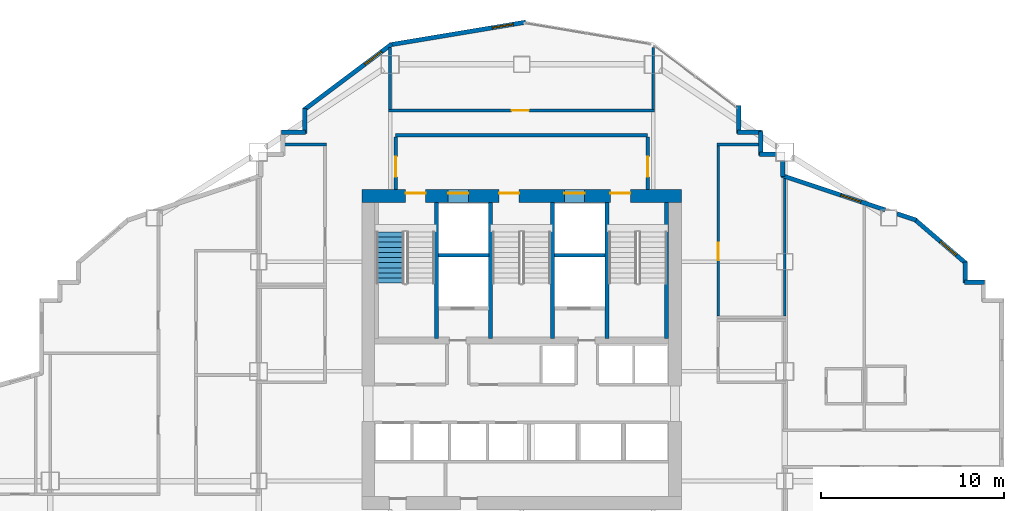
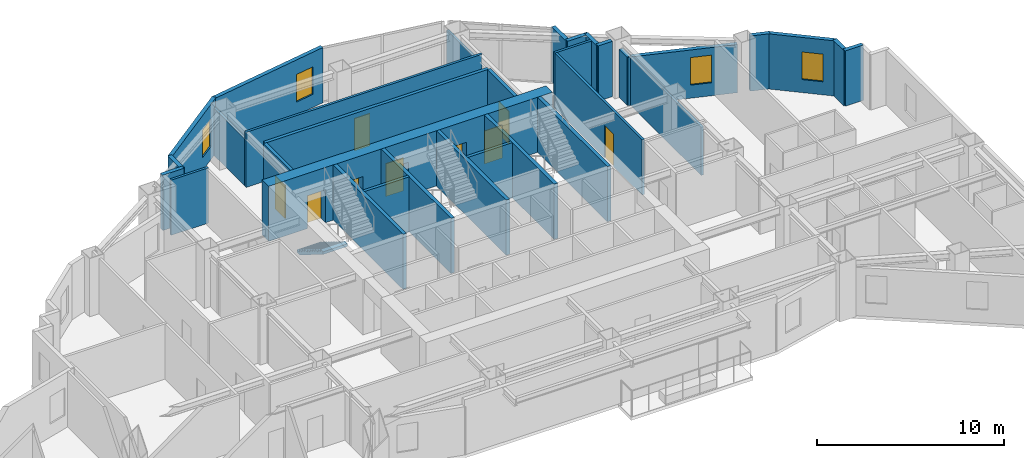
# One storey, part 10 of 13: 32 walls, 9 doors, 4 windows, 1 stair flight, 13 openings, 1 element without a shape of its own.
"""IFC4 building model written with IfcOpenShell, lengths in metres."""

from ifc_helpers import new_model, si_unit, direction, frame, frame_2d, origin, place, context, subcontext, project, spatial, polyline, rectangle, outline, extrude, material, layer, layer_set, type_object, element, fill, aggregate, save


model = new_model("IFC4")

# Units and contexts
model_context = context("Model", 3, precision=1e-05, world=origin(), true_north=direction((0.0, 1.0)))
body_context = subcontext(model_context, "Body", "Model", "MODEL_VIEW")
ifc_project = project(units=[si_unit("LENGTHUNIT", "METRE"), si_unit("AREAUNIT", "SQUARE_METRE"), si_unit("VOLUMEUNIT", "CUBIC_METRE"), si_unit("PLANEANGLEUNIT", "RADIAN"), si_unit("MASSUNIT", "GRAM", prefix="KILO")], contexts=[model_context])

# Site, building, storey
site_placement = place(None, origin())
site = spatial("IfcSite", under=ifc_project, at=site_placement, CompositionType="ELEMENT")
building_placement = place(site_placement, origin())
building = spatial("IfcBuilding", under=site, at=building_placement, Name="Haolan Belvedere Tower", CompositionType="ELEMENT")
storey_placement = place(building_placement, frame((0.0, 0.0, 128.800048828125)))
storey = spatial("IfcBuildingStorey", under=building, at=storey_placement, Name="L32", CompositionType="ELEMENT", Elevation=128.800048828125)

# Wall, openings, doors
ifc_material_1 = material(Name="Concrete C60/75", Category="concrete")
ifc_layer_1 = layer(ifc_material_1, 0.699951171875, Name="Concrete C60/75")
ifc_layer_set_1 = layer_set([ifc_layer_1], Name="Concrete C60/75")
wall_type_1 = type_object("IfcWallType", Name="WL-CORE-700", PredefinedType="SHEAR", material=ifc_layer_set_1)
wall_1_placement = place(storey_placement, frame((29.64990234375, 43.199951171875, 0.0), z_axis=(0.0, 0.0, 1.0), x_axis=(1.0, 0.0, 0.0)))
wall_1 = element("IfcWall", 1, at=wall_1_placement, inside=storey, type_object=wall_type_1, Name="L32 central core north shear wall", PredefinedType="SHEAR", context=body_context, shape_type="SweptSolid", body=[
    extrude(rectangle(XDim=17.5, YDim=0.699951171875, at=frame_2d((8.75, 0.0))), origin(), (0.0, 0.0, 1.0), 3.599853515625),
])
opening_1_placement = place(wall_1_placement, frame((2.39990234375, 0.0, 0.0)))
opening_1 = element("IfcOpeningElement", 2, at=opening_1_placement, cuts=wall_1, Name="Opening FD-03", PredefinedType="OPENING", context=body_context, shape_type="SweptSolid", body=[
    extrude(rectangle(XDim=1.10009765625, YDim=2.14990234375, at=frame_2d((0.550048828125, 1.074951171875))), frame((0.0, 0.35986328125, 0.0), z_axis=(0.0, -1.0, 0.0), x_axis=(1.0, 0.0, 0.0)), (0.0, 0.0, 1.0), 0.719970703125),
])
opening_2_placement = place(wall_1_placement, frame((7.510009765625, 0.0, 0.0)))
opening_2 = element("IfcOpeningElement", 3, at=opening_2_placement, cuts=wall_1, Name="Opening FD-03", PredefinedType="OPENING", context=body_context, shape_type="SweptSolid", body=[
    extrude(rectangle(XDim=1.10009765625, YDim=2.14990234375, at=frame_2d((0.550048828125, 1.074951171875))), frame((0.0, 0.35986328125, 0.0), z_axis=(0.0, -1.0, 0.0), x_axis=(1.0, 0.0, 0.0)), (0.0, 0.0, 1.0), 0.719970703125),
])
opening_3_placement = place(wall_1_placement, frame((13.60009765625, 0.0, 0.0)))
opening_3 = element("IfcOpeningElement", 4, at=opening_3_placement, cuts=wall_1, Name="Opening FD-03", PredefinedType="OPENING", context=body_context, shape_type="SweptSolid", body=[
    extrude(rectangle(XDim=1.10009765625, YDim=2.14990234375, at=frame_2d((0.550048828125, 1.074951171875))), frame((0.0, 0.35986328125, 0.0), z_axis=(0.0, -1.0, 0.0), x_axis=(1.0, 0.0, 0.0)), (0.0, 0.0, 1.0), 0.719970703125),
])
opening_4_placement = place(wall_1_placement, frame((4.72998046875, 0.0, 0.0)))
opening_4 = element("IfcOpeningElement", 5, at=opening_4_placement, cuts=wall_1, Name="Opening LD-01", PredefinedType="OPENING", context=body_context, shape_type="SweptSolid", body=[
    extrude(rectangle(XDim=1.10009765625, YDim=2.199951171875, at=frame_2d((0.550048828125, 1.10009765625))), frame((0.0, 0.35986328125, 0.0), z_axis=(0.0, -1.0, 0.0), x_axis=(1.0, 0.0, 0.0)), (0.0, 0.0, 1.0), 0.719970703125),
])
opening_5_placement = place(wall_1_placement, frame((11.090087890625, 0.0, 0.0)))
opening_5 = element("IfcOpeningElement", 6, at=opening_5_placement, cuts=wall_1, Name="Opening LD-01", PredefinedType="OPENING", context=body_context, shape_type="SweptSolid", body=[
    extrude(rectangle(XDim=1.10009765625, YDim=2.199951171875, at=frame_2d((0.550048828125, 1.10009765625))), frame((0.0, 0.35986328125, 0.0), z_axis=(0.0, -1.0, 0.0), x_axis=(1.0, 0.0, 0.0)), (0.0, 0.0, 1.0), 0.719970703125),
])
ifc_material_2 = material(Name="Galvanised fire-rated steel", Category="steel")
door_type_1 = type_object("IfcDoorType", Name="DR-FD90-1100", OperationType="NOTDEFINED", PredefinedType="DOOR", material=ifc_material_2)
door_1_placement = place(opening_1_placement, origin())
door_1 = element("IfcDoor", 7, at=door_1_placement, inside=storey, type_object=door_type_1, Name="L32 door CD-L32-ST1", OperationType="SINGLE_SWING_LEFT", OverallHeight=2.14990234375, OverallWidth=1.10009765625, PredefinedType="DOOR", context=body_context, shape_type="SweptSolid", body=[
    extrude(rectangle(XDim=1.10009765625, YDim=2.14990234375, at=frame_2d((0.550048828125, 1.074951171875))), frame((0.0, 0.18505859375, 0.0), z_axis=(0.0, -1.0, 0.0), x_axis=(1.0, 0.0, 0.0)), (0.0, 0.0, 1.0), 0.050048828125),
])
fill(opening_1, door_1)
door_2_placement = place(opening_2_placement, origin())
door_2 = element("IfcDoor", 8, at=door_2_placement, inside=storey, type_object=door_type_1, Name="L32 door CD-L32-ST3", OperationType="SINGLE_SWING_LEFT", OverallHeight=2.14990234375, OverallWidth=1.10009765625, PredefinedType="DOOR", context=body_context, shape_type="SweptSolid", body=[
    extrude(rectangle(XDim=1.10009765625, YDim=2.14990234375, at=frame_2d((0.550048828125, 1.074951171875))), frame((0.0, 0.18505859375, 0.0), z_axis=(0.0, -1.0, 0.0), x_axis=(1.0, 0.0, 0.0)), (0.0, 0.0, 1.0), 0.050048828125),
])
fill(opening_2, door_2)
door_3_placement = place(opening_3_placement, origin())
door_3 = element("IfcDoor", 9, at=door_3_placement, inside=storey, type_object=door_type_1, Name="L32 door CD-L32-ST2", OperationType="SINGLE_SWING_RIGHT", OverallHeight=2.14990234375, OverallWidth=1.10009765625, PredefinedType="DOOR", context=body_context, shape_type="SweptSolid", body=[
    extrude(rectangle(XDim=1.10009765625, YDim=2.14990234375, at=frame_2d((0.550048828125, 1.074951171875))), frame((0.0, 0.18505859375, 0.0), z_axis=(0.0, -1.0, 0.0), x_axis=(1.0, 0.0, 0.0)), (0.0, 0.0, 1.0), 0.050048828125),
])
fill(opening_3, door_3)
ifc_material_3 = material(Name="Brushed champagne stainless steel 316L", Category="steel")
door_type_2 = type_object("IfcDoorType", Name="DR-LIFT-1100", OperationType="SLIDING_TO_LEFT", PredefinedType="DOOR", material=ifc_material_3)
door_4_placement = place(opening_4_placement, origin())
door_4 = element("IfcDoor", 10, at=door_4_placement, inside=storey, type_object=door_type_2, Name="L32 door LD-L32-FF1", OperationType="SLIDING_TO_LEFT", OverallHeight=2.199951171875, OverallWidth=1.10009765625, PredefinedType="DOOR", context=body_context, shape_type="SweptSolid", body=[
    extrude(rectangle(XDim=1.10009765625, YDim=2.199951171875, at=frame_2d((0.550048828125, 1.10009765625))), frame((0.0, 0.18505859375, 0.0), z_axis=(0.0, -1.0, 0.0), x_axis=(1.0, 0.0, 0.0)), (0.0, 0.0, 1.0), 0.050048828125),
])
fill(opening_4, door_4)
door_5_placement = place(opening_5_placement, origin())
door_5 = element("IfcDoor", 11, at=door_5_placement, inside=storey, type_object=door_type_2, Name="L32 door LD-L32-FF2", OperationType="SLIDING_TO_LEFT", OverallHeight=2.199951171875, OverallWidth=1.10009765625, PredefinedType="DOOR", context=body_context, shape_type="SweptSolid", body=[
    extrude(rectangle(XDim=1.10009765625, YDim=2.199951171875, at=frame_2d((0.550048828125, 1.10009765625))), frame((0.0, 0.18505859375, 0.0), z_axis=(0.0, -1.0, 0.0), x_axis=(1.0, 0.0, 0.0)), (0.0, 0.0, 1.0), 0.050048828125),
])
fill(opening_5, door_5)

# Walls
ifc_material_4 = material(Name="Precast concrete C40/50", Category="concrete")
ifc_layer_2 = layer(ifc_material_4, 0.239990234375, Name="Precast concrete C40/50")
ifc_layer_set_2 = layer_set([ifc_layer_2], Name="Precast concrete C40/50")
wall_type_2 = type_object("IfcWallType", Name="WL-EXT-240", PredefinedType="SOLIDWALL", material=ifc_layer_set_2)
wall_2_placement = place(storey_placement, frame((63.735107421875, 38.47998046875, 0.0), z_axis=(0.0, 0.0, 1.0), x_axis=(-1.0, 0.0, 0.0)))
element("IfcWall", 12, at=wall_2_placement, inside=storey, type_object=wall_type_2, Name="L32 pale-metal exterior spandrel wall 17.1", PredefinedType="SOLIDWALL", context=body_context, shape_type="SweptSolid", body=[
    extrude(rectangle(XDim=1.110107421875, YDim=0.239990234375, at=frame_2d((0.55517578125, 0.0))), origin(), (0.0, 0.0, 1.0), 3.599853515625),
])
wall_3_placement = place(storey_placement, frame((62.679931640625, 38.425048828125, 0.0), z_axis=(0.0, 0.0, 1.0), x_axis=(0.0, 1.0, 0.0)))
element("IfcWall", 13, at=wall_3_placement, inside=storey, type_object=wall_type_2, Name="L32 pale-metal exterior spandrel wall 18.1", PredefinedType="SOLIDWALL", context=body_context, shape_type="SweptSolid", body=[
    extrude(rectangle(XDim=1.1748046875, YDim=0.239990234375, at=frame_2d((0.58740234375, 0.0))), origin(), (0.0, 0.0, 1.0), 3.599853515625),
])

# Wall, opening, window
wall_4_placement = place(storey_placement, frame((62.7216796875, 39.509033203125, 0.0), z_axis=(0.0, 0.0, 1.0), x_axis=(-0.759247334792, 0.650802185469, 0.0)))
wall_4 = element("IfcWall", 14, at=wall_4_placement, inside=storey, type_object=wall_type_2, Name="L32 pale-metal exterior spandrel wall 19.1", PredefinedType="SOLIDWALL", context=body_context, shape_type="SweptSolid", body=[
    extrude(rectangle(XDim=3.71923828125, YDim=0.239990234375, at=frame_2d((1.859619140625, 0.0))), origin(), (0.0, 0.0, 1.0), 3.599853515625),
])
opening_6_placement = place(wall_4_placement, frame((0.699951171875, 0.0, 0.85009765625)))
opening_6 = element("IfcOpeningElement", 15, at=opening_6_placement, cuts=wall_4, Name="Opening W-02", PredefinedType="OPENING", context=body_context, shape_type="SweptSolid", body=[
    extrude(rectangle(XDim=1.14990234375, YDim=1.800048828125, at=frame_2d((0.574951171875, 0.89990234375))), frame((0.0, 0.1298828125, 0.0), z_axis=(0.0, -1.0, 0.0), x_axis=(1.0, 0.0, 0.0)), (0.0, 0.0, 1.0), 0.260009765625),
])
ifc_material_5 = material(Name="Anodised aluminium 6063-T6 and Low-E glass", Category="aluminium")
window_type = type_object("IfcWindowType", Name="WN-DECO-Z2", PartitioningType="SINGLE_PANEL", PredefinedType="WINDOW", material=ifc_material_5)
window_1_placement = place(opening_6_placement, origin())
window_1 = element("IfcWindow", 16, at=window_1_placement, inside=storey, type_object=window_type, Name="L32 Art Deco chevron window 1", OverallHeight=1.800048828125, OverallWidth=1.14990234375, PartitioningType="SINGLE_PANEL", PredefinedType="WINDOW", context=body_context, shape_type="SweptSolid", body=[
    extrude(rectangle(XDim=1.14990234375, YDim=1.800048828125, at=frame_2d((0.574951171875, 0.89990234375))), frame((0.0, 0.030029296875, 0.0), z_axis=(0.0, -1.0, 0.0), x_axis=(1.0, 0.0, 0.0)), (0.0, 0.0, 1.0), 0.06005859375),
])
fill(opening_6, window_1)

# Wall
wall_5_placement = place(storey_placement, frame((59.991943359375, 41.876220703125, 0.0), z_axis=(0.0, 0.0, 1.0), x_axis=(-0.948661238983, 0.316293935527, 0.0)))
element("IfcWall", 17, at=wall_5_placement, inside=storey, type_object=wall_type_2, Name="L32 pale-metal exterior spandrel wall 20.1", PredefinedType="SOLIDWALL", context=body_context, shape_type="SweptSolid", body=[
    extrude(rectangle(XDim=1.10693359375, YDim=0.239990234375, at=frame_2d((0.553466796875, 0.0))), origin(), (0.0, 0.0, 1.0), 3.599853515625),
])

# Wall, opening, window
wall_6_placement = place(storey_placement, frame((58.294677734375, 42.44189453125, 0.0), z_axis=(0.0, 0.0, 1.0), x_axis=(-0.948687385027, 0.316215504823, 0.0)))
wall_6 = element("IfcWall", 18, at=wall_6_placement, inside=storey, type_object=wall_type_2, Name="L32 pale-metal exterior spandrel wall 20.2", PredefinedType="SOLIDWALL", context=body_context, shape_type="SweptSolid", body=[
    extrude(rectangle(XDim=5.973388671875, YDim=0.239990234375, at=frame_2d((2.98681640625, 0.0))), origin(), (0.0, 0.0, 1.0), 3.14501953125),
])
opening_7_placement = place(wall_6_placement, frame((1.406494140625, 0.0, 0.85009765625)))
opening_7 = element("IfcOpeningElement", 19, at=opening_7_placement, cuts=wall_6, Name="Opening W-02", PredefinedType="OPENING", context=body_context, shape_type="SweptSolid", body=[
    extrude(rectangle(XDim=1.14990234375, YDim=1.800048828125, at=frame_2d((0.574951171875, 0.89990234375))), frame((0.0, 0.1298828125, 0.0), z_axis=(0.0, -1.0, 0.0), x_axis=(1.0, 0.0, 0.0)), (0.0, 0.0, 1.0), 0.260009765625),
])
window_2_placement = place(opening_7_placement, origin())
window_2 = element("IfcWindow", 20, at=window_2_placement, inside=storey, type_object=window_type, Name="L32 Art Deco chevron window 1", OverallHeight=1.800048828125, OverallWidth=1.14990234375, PartitioningType="SINGLE_PANEL", PredefinedType="WINDOW", context=body_context, shape_type="SweptSolid", body=[
    extrude(rectangle(XDim=1.14990234375, YDim=1.800048828125, at=frame_2d((0.574951171875, 0.89990234375))), frame((0.0, 0.030029296875, 0.0), z_axis=(0.0, -1.0, 0.0), x_axis=(1.0, 0.0, 0.0)), (0.0, 0.0, 1.0), 0.06005859375),
])
fill(opening_7, window_2)

# Walls
wall_7_placement = place(storey_placement, frame((52.679931640625, 44.258544921875, 0.0), z_axis=(0.0, 0.0, 1.0), x_axis=(0.0, 1.0, 0.0)))
element("IfcWall", 21, at=wall_7_placement, inside=storey, type_object=wall_type_2, Name="L32 pale-metal exterior spandrel wall 21.1", PredefinedType="SOLIDWALL", context=body_context, shape_type="SweptSolid", body=[
    extrude(rectangle(XDim=0.849365234375, YDim=0.239990234375, at=frame_2d((0.4248046875, 0.0))), origin(), (0.0, 0.0, 1.0), 3.14501953125),
])
wall_8_placement = place(storey_placement, frame((52.30810546875, 45.47998046875, 0.0), z_axis=(0.0, 0.0, 1.0), x_axis=(-1.0, 0.0, 0.0)))
element("IfcWall", 22, at=wall_8_placement, inside=storey, type_object=wall_type_2, Name="L32 pale-metal exterior spandrel wall 22.1", PredefinedType="SOLIDWALL", context=body_context, shape_type="SweptSolid", body=[
    extrude(rectangle(XDim=0.883056640625, YDim=0.239990234375, at=frame_2d((0.44140625, 0.0))), origin(), (0.0, 0.0, 1.0), 3.599853515625),
])
wall_9_placement = place(storey_placement, frame((51.47998046875, 45.425048828125, 0.0), z_axis=(0.0, 0.0, 1.0), x_axis=(0.0, 1.0, 0.0)))
element("IfcWall", 23, at=wall_9_placement, inside=storey, type_object=wall_type_2, Name="L32 pale-metal exterior spandrel wall 23.1", PredefinedType="SOLIDWALL", context=body_context, shape_type="SweptSolid", body=[
    extrude(rectangle(XDim=1.31005859375, YDim=0.239990234375, at=frame_2d((0.655029296875, 0.0))), origin(), (0.0, 0.0, 1.0), 3.599853515625),
])
wall_10_placement = place(storey_placement, frame((51.534912109375, 46.679931640625, 0.0), z_axis=(0.0, 0.0, 1.0), x_axis=(-1.0, 0.0, 0.0)))
element("IfcWall", 24, at=wall_10_placement, inside=storey, type_object=wall_type_2, Name="L32 pale-metal exterior spandrel wall 24.1", PredefinedType="SOLIDWALL", context=body_context, shape_type="SweptSolid", body=[
    extrude(rectangle(XDim=1.309814453125, YDim=0.239990234375, at=frame_2d((0.65478515625, 0.0))), origin(), (0.0, 0.0, 1.0), 3.599853515625),
])
wall_11_placement = place(storey_placement, frame((50.280029296875, 46.625, 0.0), z_axis=(0.0, 0.0, 1.0), x_axis=(0.0, 1.0, 0.0)))
element("IfcWall", 25, at=wall_11_placement, inside=storey, type_object=wall_type_2, Name="L32 pale-metal exterior spandrel wall 25.1", PredefinedType="SOLIDWALL", context=body_context, shape_type="SweptSolid", body=[
    extrude(rectangle(XDim=1.5400390625, YDim=0.239990234375, at=frame_2d((0.77001953125, 0.0))), origin(), (0.0, 0.0, 1.0), 3.599853515625),
])

# Wall, opening, window
wall_12_placement = place(storey_placement, frame((38.621826171875, 52.71533203125, 0.0), z_axis=(0.0, 0.0, 1.0), x_axis=(-0.98639129485, -0.164414760418, 0.0)))
wall_12 = element("IfcWall", 26, at=wall_12_placement, inside=storey, type_object=wall_type_2, Name="L32 pale-metal exterior spandrel wall 28.1", PredefinedType="SOLIDWALL", context=body_context, shape_type="SweptSolid", body=[
    extrude(rectangle(XDim=7.530029296875, YDim=0.239990234375, at=frame_2d((3.76513671875, 0.0))), origin(), (0.0, 0.0, 1.0), 3.599853515625),
])
opening_8_placement = place(wall_12_placement, frame((0.699951171875, 0.0, 0.85009765625)))
opening_8 = element("IfcOpeningElement", 27, at=opening_8_placement, cuts=wall_12, Name="Opening W-02", PredefinedType="OPENING", context=body_context, shape_type="SweptSolid", body=[
    extrude(rectangle(XDim=1.14990234375, YDim=1.800048828125, at=frame_2d((0.574951171875, 0.89990234375))), frame((0.0, 0.1298828125, 0.0), z_axis=(0.0, -1.0, 0.0), x_axis=(1.0, 0.0, 0.0)), (0.0, 0.0, 1.0), 0.260009765625),
])
window_3_placement = place(opening_8_placement, origin())
window_3 = element("IfcWindow", 28, at=window_3_placement, inside=storey, type_object=window_type, Name="L32 Art Deco chevron window 1", OverallHeight=1.800048828125, OverallWidth=1.14990234375, PartitioningType="SINGLE_PANEL", PredefinedType="WINDOW", context=body_context, shape_type="SweptSolid", body=[
    extrude(rectangle(XDim=1.14990234375, YDim=1.800048828125, at=frame_2d((0.574951171875, 0.89990234375))), frame((0.0, 0.030029296875, 0.0), z_axis=(0.0, -1.0, 0.0), x_axis=(1.0, 0.0, 0.0)), (0.0, 0.0, 1.0), 0.06005859375),
])
fill(opening_8, window_3)

wall_13_placement = place(storey_placement, frame((31.29248046875, 51.519287109375, 0.0), z_axis=(0.0, 0.0, 1.0), x_axis=(-0.8, -0.6, 0.0)))
wall_13 = element("IfcWall", 29, at=wall_13_placement, inside=storey, type_object=wall_type_2, Name="L32 pale-metal exterior spandrel wall 29.1", PredefinedType="SOLIDWALL", context=body_context, shape_type="SweptSolid", body=[
    extrude(rectangle(XDim=6.0205078125, YDim=0.239990234375, at=frame_2d((3.01025390625, 0.0))), origin(), (0.0, 0.0, 1.0), 3.599853515625),
])
opening_9_placement = place(wall_13_placement, frame((0.699951171875, 0.0, 0.85009765625)))
opening_9 = element("IfcOpeningElement", 30, at=opening_9_placement, cuts=wall_13, Name="Opening W-02", PredefinedType="OPENING", context=body_context, shape_type="SweptSolid", body=[
    extrude(rectangle(XDim=1.14990234375, YDim=1.800048828125, at=frame_2d((0.574951171875, 0.89990234375))), frame((0.0, 0.1298828125, 0.0), z_axis=(0.0, -1.0, 0.0), x_axis=(1.0, 0.0, 0.0)), (0.0, 0.0, 1.0), 0.260009765625),
])
window_4_placement = place(opening_9_placement, origin())
window_4 = element("IfcWindow", 31, at=window_4_placement, inside=storey, type_object=window_type, Name="L32 Art Deco chevron window 1", OverallHeight=1.800048828125, OverallWidth=1.14990234375, PartitioningType="SINGLE_PANEL", PredefinedType="WINDOW", context=body_context, shape_type="SweptSolid", body=[
    extrude(rectangle(XDim=1.14990234375, YDim=1.800048828125, at=frame_2d((0.574951171875, 0.89990234375))), frame((0.0, 0.030029296875, 0.0), z_axis=(0.0, -1.0, 0.0), x_axis=(1.0, 0.0, 0.0)), (0.0, 0.0, 1.0), 0.06005859375),
])
fill(opening_9, window_4)

# Walls
wall_14_placement = place(storey_placement, frame((26.52001953125, 47.9951171875, 0.0), z_axis=(0.0, 0.0, 1.0), x_axis=(0.0, -1.0, 0.0)))
element("IfcWall", 32, at=wall_14_placement, inside=storey, type_object=wall_type_2, Name="L32 pale-metal exterior spandrel wall 30.1", PredefinedType="SOLIDWALL", context=body_context, shape_type="SweptSolid", body=[
    extrude(rectangle(XDim=1.3701171875, YDim=0.239990234375, at=frame_2d((0.68505859375, 0.0))), origin(), (0.0, 0.0, 1.0), 3.599853515625),
])
wall_15_placement = place(storey_placement, frame((26.574951171875, 46.679931640625, 0.0), z_axis=(0.0, 0.0, 1.0), x_axis=(-1.0, 0.0, 0.0)))
element("IfcWall", 33, at=wall_15_placement, inside=storey, type_object=wall_type_2, Name="L32 pale-metal exterior spandrel wall 31.1", PredefinedType="SOLIDWALL", context=body_context, shape_type="SweptSolid", body=[
    extrude(rectangle(XDim=1.31005859375, YDim=0.239990234375, at=frame_2d((0.655029296875, 0.0))), origin(), (0.0, 0.0, 1.0), 3.599853515625),
])
ifc_material_6 = material(Name="Concrete C40/50", Category="concrete")
ifc_layer_3 = layer(ifc_material_6, 0.199951171875, Name="Concrete C40/50")
ifc_layer_set_3 = layer_set([ifc_layer_3], Name="Concrete C40/50")
wall_type_3 = type_object("IfcWallType", Name="WL-FIRE-200", PredefinedType="SOLIDWALL", material=ifc_layer_set_3)
wall_16_placement = place(storey_placement, frame((31.5, 46.52001953125, 0.0), z_axis=(0.0, 0.0, 1.0), x_axis=(1.0, 0.0, 0.0)))
element("IfcWall", 34, at=wall_16_placement, inside=storey, type_object=wall_type_3, Name="L32 interior partition IW-L32-FFL-N", PredefinedType="SOLIDWALL", context=body_context, shape_type="SweptSolid", body=[
    extrude(rectangle(XDim=13.800048828125, YDim=0.199951171875, at=frame_2d((6.89990234375, 0.0))), origin(), (0.0, 0.0, 1.0), 3.599853515625),
])

# Wall, opening, door
wall_17_placement = place(storey_placement, frame((31.5, 43.550048828125, 0.0), z_axis=(0.0, 0.0, 1.0), x_axis=(0.0, 1.0, 0.0)))
wall_17 = element("IfcWall", 35, at=wall_17_placement, inside=storey, type_object=wall_type_3, Name="L32 interior partition IW-L32-FFL-W", PredefinedType="SOLIDWALL", context=body_context, shape_type="SweptSolid", body=[
    extrude(rectangle(XDim=2.885009765625, YDim=0.199951171875, at=frame_2d((1.4423828125, 0.0))), origin(), (0.0, 0.0, 1.0), 3.599853515625),
])
opening_10_placement = place(wall_17_placement, frame((1.800048828125, 0.0, 0.0), z_axis=(0.0, 0.0, 1.0), x_axis=(-1.0, 0.0, 0.0)))
opening_10 = element("IfcOpeningElement", 36, at=opening_10_placement, cuts=wall_17, Name="Opening FD-03", PredefinedType="OPENING", context=body_context, shape_type="SweptSolid", body=[
    extrude(rectangle(XDim=1.10009765625, YDim=2.14990234375, at=frame_2d((0.550048828125, 1.074951171875))), frame((0.0, 0.10986328125, 0.0), z_axis=(0.0, -1.0, 0.0), x_axis=(1.0, 0.0, 0.0)), (0.0, 0.0, 1.0), 0.219970703125),
])
door_6_placement = place(opening_10_placement, origin())
door_6 = element("IfcDoor", 37, at=door_6_placement, inside=storey, type_object=door_type_1, Name="L32 door ID-L32-FFL-DW", OperationType="SINGLE_SWING_LEFT", OverallHeight=2.14990234375, OverallWidth=1.10009765625, PredefinedType="DOOR", context=body_context, shape_type="SweptSolid", body=[
    extrude(rectangle(XDim=1.10009765625, YDim=2.14990234375, at=frame_2d((0.550048828125, 1.074951171875))), frame((0.0, 0.02490234375, 0.0), z_axis=(0.0, -1.0, 0.0), x_axis=(1.0, 0.0, 0.0)), (0.0, 0.0, 1.0), 0.050048828125),
])
fill(opening_10, door_6)

wall_18_placement = place(storey_placement, frame((45.300048828125, 43.550048828125, 0.0), z_axis=(0.0, 0.0, 1.0), x_axis=(0.0, 1.0, 0.0)))
wall_18 = element("IfcWall", 38, at=wall_18_placement, inside=storey, type_object=wall_type_3, Name="L32 interior partition IW-L32-FFL-E", PredefinedType="SOLIDWALL", context=body_context, shape_type="SweptSolid", body=[
    extrude(rectangle(XDim=2.885009765625, YDim=0.199951171875, at=frame_2d((1.4423828125, 0.0))), origin(), (0.0, 0.0, 1.0), 3.599853515625),
])
opening_11_placement = place(wall_18_placement, frame((0.699951171875, 0.0, 0.0)))
opening_11 = element("IfcOpeningElement", 39, at=opening_11_placement, cuts=wall_18, Name="Opening FD-03", PredefinedType="OPENING", context=body_context, shape_type="SweptSolid", body=[
    extrude(rectangle(XDim=1.10009765625, YDim=2.14990234375, at=frame_2d((0.550048828125, 1.074951171875))), frame((0.0, 0.10986328125, 0.0), z_axis=(0.0, -1.0, 0.0), x_axis=(1.0, 0.0, 0.0)), (0.0, 0.0, 1.0), 0.219970703125),
])
door_7_placement = place(opening_11_placement, origin())
door_7 = element("IfcDoor", 40, at=door_7_placement, inside=storey, type_object=door_type_1, Name="L32 door ID-L32-FFL-DE", OperationType="SINGLE_SWING_RIGHT", OverallHeight=2.14990234375, OverallWidth=1.10009765625, PredefinedType="DOOR", context=body_context, shape_type="SweptSolid", body=[
    extrude(rectangle(XDim=1.10009765625, YDim=2.14990234375, at=frame_2d((0.550048828125, 1.074951171875))), frame((0.0, 0.02490234375, 0.0), z_axis=(0.0, -1.0, 0.0), x_axis=(1.0, 0.0, 0.0)), (0.0, 0.0, 1.0), 0.050048828125),
])
fill(opening_11, door_7)

# Walls
ifc_material_7 = material(Name="Double gypsum acoustic stud partition", Category="masonry")
ifc_layer_4 = layer(ifc_material_7, 0.14990234375, Name="Double gypsum acoustic stud partition")
ifc_layer_set_4 = layer_set([ifc_layer_4], Name="Double gypsum acoustic stud partition")
wall_type_4 = type_object("IfcWallType", Name="WL-PART-150", PredefinedType="PARTITIONING", material=ifc_layer_set_4)
for number, where, z_axis, x_axis, name in (
    (41, (25.425048828125, 46.02001953125, 0.0), (0.0, 0.0, 1.0), (1.0, 0.0, 0.0), "L32 interior partition IW-L32-VLT-N"),
    (42, (49.080078125, 46.02001953125, 0.0), (0.0, 0.0, 1.0), (1.0, 0.0, 0.0), "L32 interior partition IW-L32-SAL-N"),
):
    element("IfcWall", number, at=place(storey_placement, frame(where, z_axis=z_axis, x_axis=x_axis)), inside=storey, type_object=wall_type_4, Name=name, PredefinedType="PARTITIONING", context=body_context, shape_type="SweptSolid", body=[
        extrude(rectangle(XDim=2.294921875, YDim=0.14990234375, at=frame_2d((1.1474609375, 0.0))), origin(), (0.0, 0.0, 1.0), 3.599853515625),
    ])

# Wall, opening, door
wall_19_placement = place(storey_placement, frame((49.159912109375, 36.6201171875, 0.0), z_axis=(0.0, 0.0, 1.0), x_axis=(0.0, 1.0, 0.0)))
wall_19 = element("IfcWall", 43, at=wall_19_placement, inside=storey, type_object=wall_type_4, Name="L32 interior partition IW-L32-SAL-W", PredefinedType="PARTITIONING", context=body_context, shape_type="SweptSolid", body=[
    extrude(rectangle(XDim=9.33984375, YDim=0.14990234375, at=frame_2d((4.669921875, 0.0))), origin(), (0.0, 0.0, 1.0), 3.599853515625),
])
opening_12_placement = place(wall_19_placement, frame((3.06005859375, 0.0, 0.0)))
opening_12 = element("IfcOpeningElement", 44, at=opening_12_placement, cuts=wall_19, Name="Opening ID-03", PredefinedType="OPENING", context=body_context, shape_type="SweptSolid", body=[
    extrude(rectangle(XDim=0.949951171875, YDim=2.1201171875, at=frame_2d((0.47509765625, 1.06005859375))), frame((0.0, 0.0849609375, 0.0), z_axis=(0.0, -1.0, 0.0), x_axis=(1.0, 0.0, 0.0)), (0.0, 0.0, 1.0), 0.169921875),
])
ifc_material_8 = material(Name="Painted solid-core timber", Category="wood")
door_type_3 = type_object("IfcDoorType", Name="DR-INT-950", OperationType="NOTDEFINED", PredefinedType="DOOR", material=ifc_material_8)
door_8_placement = place(opening_12_placement, origin())
door_8 = element("IfcDoor", 45, at=door_8_placement, inside=storey, type_object=door_type_3, Name="L32 door ID-L32-SAL", OperationType="SINGLE_SWING_LEFT", OverallHeight=2.1201171875, OverallWidth=0.949951171875, PredefinedType="DOOR", context=body_context, shape_type="SweptSolid", body=[
    extrude(rectangle(XDim=0.949951171875, YDim=2.1201171875, at=frame_2d((0.47509765625, 1.06005859375))), frame((0.0, 0.02490234375, 0.0), z_axis=(0.0, -1.0, 0.0), x_axis=(1.0, 0.0, 0.0)), (0.0, 0.0, 1.0), 0.050048828125),
])
fill(opening_12, door_8)

# Wall
wall_20_placement = place(storey_placement, frame((52.800048828125, 36.6201171875, 0.0), z_axis=(0.0, 0.0, 1.0), x_axis=(0.0, 1.0, 0.0)))
element("IfcWall", 46, at=wall_20_placement, inside=storey, type_object=wall_type_4, Name="L32 interior partition IW-L32-SAL-E", PredefinedType="PARTITIONING", context=body_context, shape_type="SweptSolid", body=[
    extrude(rectangle(XDim=7.542724609375, YDim=0.14990234375, at=frame_2d((3.771484375, 0.0))), origin(), (0.0, 0.0, 1.0), 3.14501953125),
])

# Wall, opening, door
wall_21_placement = place(storey_placement, frame((31.1201171875, 47.8798828125, 0.0), z_axis=(0.0, 0.0, 1.0), x_axis=(1.0, 0.0, 0.0)))
wall_21 = element("IfcWall", 47, at=wall_21_placement, inside=storey, type_object=wall_type_4, Name="L32 interior partition IW-L32-KN2-S", PredefinedType="PARTITIONING", context=body_context, shape_type="SweptSolid", body=[
    extrude(rectangle(XDim=14.559814453125, YDim=0.14990234375, at=frame_2d((7.27978515625, 0.0))), origin(), (0.0, 0.0, 1.0), 3.599853515625),
])
opening_13_placement = place(wall_21_placement, frame((6.72509765625, 0.0, 0.0)))
opening_13 = element("IfcOpeningElement", 48, at=opening_13_placement, cuts=wall_21, Name="Opening ID-03", PredefinedType="OPENING", context=body_context, shape_type="SweptSolid", body=[
    extrude(rectangle(XDim=0.949951171875, YDim=2.1201171875, at=frame_2d((0.47509765625, 1.06005859375))), frame((0.0, 0.0849609375, 0.0), z_axis=(0.0, -1.0, 0.0), x_axis=(1.0, 0.0, 0.0)), (0.0, 0.0, 1.0), 0.169921875),
])
door_9_placement = place(opening_13_placement, origin())
door_9 = element("IfcDoor", 49, at=door_9_placement, inside=storey, type_object=door_type_3, Name="L32 door ID-L32-KN2", OperationType="SINGLE_SWING_RIGHT", OverallHeight=2.1201171875, OverallWidth=0.949951171875, PredefinedType="DOOR", context=body_context, shape_type="SweptSolid", body=[
    extrude(rectangle(XDim=0.949951171875, YDim=2.1201171875, at=frame_2d((0.47509765625, 1.06005859375))), frame((0.0, 0.02490234375, 0.0), z_axis=(0.0, -1.0, 0.0), x_axis=(1.0, 0.0, 0.0)), (0.0, 0.0, 1.0), 0.050048828125),
])
fill(opening_13, door_9)

# Walls
wall_22_placement = place(storey_placement, frame((31.199951171875, 47.93994140625, 0.0), z_axis=(0.0, 0.0, 1.0), x_axis=(0.0, 1.0, 0.0)))
element("IfcWall", 50, at=wall_22_placement, inside=storey, type_object=wall_type_4, Name="L32 interior partition IW-L32-KN2-W", PredefinedType="PARTITIONING", context=body_context, shape_type="SweptSolid", body=[
    extrude(rectangle(XDim=3.378662109375, YDim=0.14990234375, at=frame_2d((1.689453125, 0.0))), origin(), (0.0, 0.0, 1.0), 3.0849609375),
])
wall_23_placement = place(storey_placement, frame((45.60009765625, 47.93994140625, 0.0), z_axis=(0.0, 0.0, 1.0), x_axis=(0.0, 1.0, 0.0)))
element("IfcWall", 51, at=wall_23_placement, inside=storey, type_object=wall_type_4, Name="L32 interior partition IW-L32-KN2-E", PredefinedType="PARTITIONING", context=body_context, shape_type="SweptSolid", body=[
    extrude(rectangle(XDim=3.39501953125, YDim=0.14990234375, at=frame_2d((1.697509765625, 0.0))), origin(), (0.0, 0.0, 1.0), 3.0849609375),
])
ifc_layer_5 = layer(ifc_material_4, 0.179931640625, Name="Precast concrete C40/50")
ifc_layer_set_5 = layer_set([ifc_layer_5], Name="Precast concrete C40/50")
wall_type_5 = type_object("IfcWallType", Name="WL-SHAFT-180", PredefinedType="SOLIDWALL", material=ifc_layer_set_5)
for number, where, z_axis, x_axis, name in (
    (52, (33.8349609375, 39.949951171875, 0.0), (0.0, 0.0, 1.0), (1.0, 0.0, 0.0), "L32 interior partition IW-L32-FF1-S"),
    (53, (40.195068359375, 39.949951171875, 0.0), (0.0, 0.0, 1.0), (1.0, 0.0, 0.0), "L32 interior partition IW-L32-FF2-S"),
):
    element("IfcWall", number, at=place(storey_placement, frame(where, z_axis=z_axis, x_axis=x_axis)), inside=storey, type_object=wall_type_5, Name=name, PredefinedType="SOLIDWALL", context=body_context, shape_type="SweptSolid", body=[
        extrude(rectangle(XDim=2.77001953125, YDim=0.179931640625, at=frame_2d((1.385009765625, 0.0))), origin(), (0.0, 0.0, 1.0), 3.599853515625),
    ])
ifc_material_9 = material(Name="Concrete C50/60", Category="concrete")
ifc_layer_6 = layer(ifc_material_9, 0.219970703125, Name="Concrete C50/60")
ifc_layer_set_6 = layer_set([ifc_layer_6], Name="Concrete C50/60")
wall_type_6 = type_object("IfcWallType", Name="WL-STAIR-220", PredefinedType="SHEAR", material=ifc_layer_set_6)
for number, where, z_axis, x_axis, name in (
    (54, (33.739990234375, 35.389892578125, 0.0), (0.0, 0.0, 1.0), (0.0, 1.0, 0.0), "L32 structural stair core wall ST1E"),
    (55, (36.699951171875, 35.389892578125, 0.0), (0.0, 0.0, 1.0), (0.0, 1.0, 0.0), "L32 structural stair core wall ST3W"),
    (56, (40.10009765625, 35.389892578125, 0.0), (0.0, 0.0, 1.0), (0.0, 1.0, 0.0), "L32 structural stair core wall ST3E"),
    (57, (43.06005859375, 35.389892578125, 0.0), (0.0, 0.0, 1.0), (0.0, 1.0, 0.0), "L32 structural stair core wall ST2W"),
    (58, (46.337890625, 35.389892578125, 0.0), (0.0, 0.0, 1.0), (0.0, 1.0, 0.0), "L32 structural stair core wall ST2E"),
):
    element("IfcWall", number, at=place(storey_placement, frame(where, z_axis=z_axis, x_axis=x_axis)), inside=storey, type_object=wall_type_6, Name=name, PredefinedType="SHEAR", context=body_context, shape_type="SweptSolid", body=[
        extrude(rectangle(XDim=7.460205078125, YDim=0.219970703125, at=frame_2d((3.72998046875, 0.0))), origin(), (0.0, 0.0, 1.0), 3.599853515625),
    ])

# Stair, stair flight
stair_type = type_object("IfcStairType", Name="STR-DL-22R-173", PredefinedType="HALF_TURN_STAIR", material=ifc_material_6)
stair_placement = place(storey_placement, origin())
stair = element("IfcStair", 59, at=stair_placement, inside=storey, type_object=stair_type, Name="L32 Smokeproof Core Exit Stair ST1", PredefinedType="HALF_TURN_STAIR")
stair_flight_type = type_object("IfcStairFlightType", Name="SFL-DL-11R-173", PredefinedType="STRAIGHT", material=ifc_material_6)
stair_flight_placement = place(storey_placement, frame((31.2099609375, 41.22998046875, 0.0), z_axis=(0.0, 0.0, 1.0), x_axis=(0.0, -1.0, 0.0)))
stair_flight = element("IfcStairFlight", 60, at=stair_flight_placement, type_object=stair_flight_type, Name="ST1 flight 1", NumberOfRisers=11, NumberOfTreads=10, PredefinedType="STRAIGHT", RiserHeight=0.172727273, TreadLength=0.28, context=body_context, shape_type="SweptSolid", body=[
    extrude(outline(polyline([(0.0, 0.0), (0.0, 0.172607421875), (0.280029296875, 0.172607421875), (0.280029296875, 0.345458984375), (0.56005859375, 0.345458984375), (0.56005859375, 0.51806640625), (0.840087890625, 0.51806640625), (0.840087890625, 0.69091796875), (1.1201171875, 0.69091796875), (1.1201171875, 0.863525390625), (1.39990234375, 0.863525390625), (1.39990234375, 1.036376953125), (1.679931640625, 1.036376953125), (1.679931640625, 1.208984375), (1.9599609375, 1.208984375), (1.9599609375, 1.3818359375), (2.239990234375, 1.3818359375), (2.239990234375, 1.554443359375), (2.52001953125, 1.554443359375), (2.52001953125, 1.727294921875), (2.800048828125, 1.727294921875), (2.800048828125, 1.89990234375), (2.800048828125, 1.551025390625), (0.285400390625, 0.0), (0.0, 0.0)])), frame((0.0, 0.760009765625, 0.0), z_axis=(0.0, -1.0, 0.0), x_axis=(1.0, 0.0, 0.0)), (0.0, 0.0, 1.0), 1.52001953125),
])
aggregate(stair, [stair_flight])

save(model, "model.ifc")
